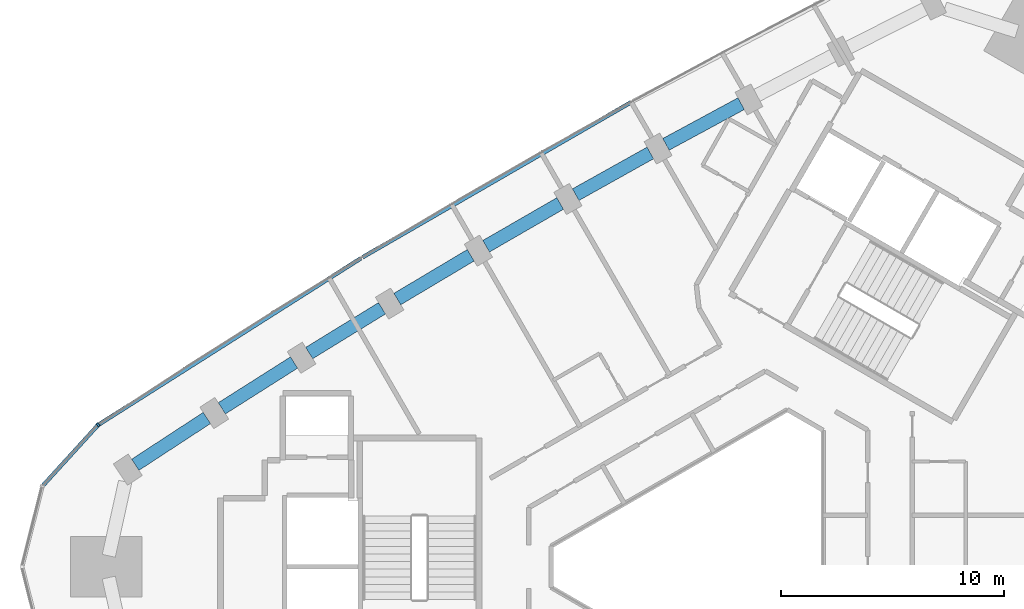
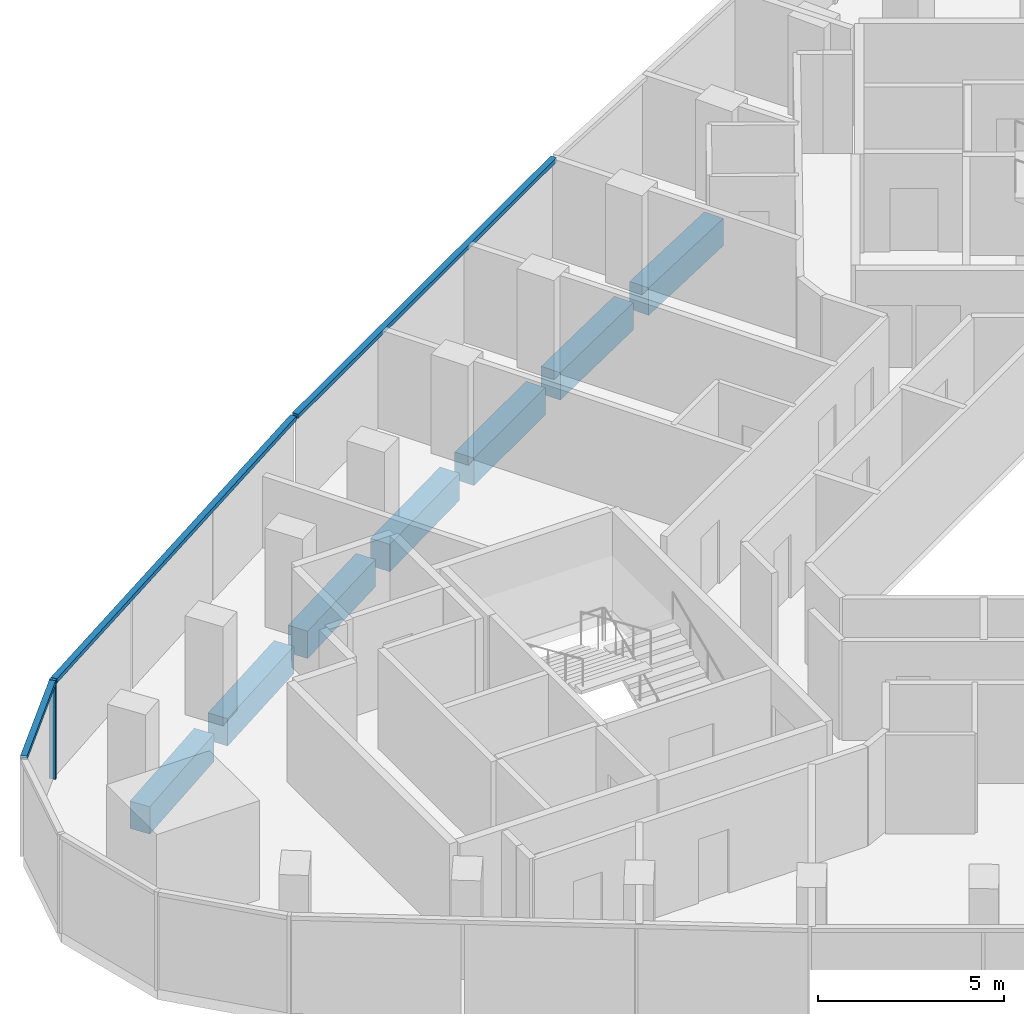
# One storey, part 4 of 12: 7 beams, 4 members, 1 element without a shape of its own.
"""IFC4 building model written with IfcOpenShell, lengths in metres."""

from ifc_helpers import new_model, si_unit, direction, frame, origin, origin_2d, place, context, subcontext, project, spatial, rectangle, extrude, material, material_profile, profile_set, type_object, element, aggregate, save


model = new_model("IFC4")

# Units and contexts
model_context = context("Model", 3, precision=1e-05, world=origin(), true_north=direction((0.0, 1.0)))
body_context = subcontext(model_context, "Body", "Model", "MODEL_VIEW")
ifc_project = project(units=[si_unit("LENGTHUNIT", "METRE"), si_unit("AREAUNIT", "SQUARE_METRE"), si_unit("VOLUMEUNIT", "CUBIC_METRE"), si_unit("PLANEANGLEUNIT", "RADIAN"), si_unit("MASSUNIT", "GRAM", prefix="KILO")], contexts=[model_context])

# Site, building, storey
site_placement = place(None, origin())
site = spatial("IfcSite", under=ifc_project, at=site_placement, CompositionType="ELEMENT")
building_placement = place(site_placement, origin())
building = spatial("IfcBuilding", under=site, at=building_placement, Name="Tamra Quay Hotel Tower", CompositionType="ELEMENT")
storey_placement = place(building_placement, frame((0.0, 0.0, 200.800048828125)))
storey = spatial("IfcBuildingStorey", under=building, at=storey_placement, Name="L50", CompositionType="ELEMENT", Elevation=200.800048828125)

# Curtain wall, member
ifc_material_1 = material(Name="Aluminium 6063 anodised dark grey", Category="aluminium")
curtain_wall_type = type_object("IfcCurtainWallType", Name="CW2 CURTAIN WALL", PredefinedType="NOTDEFINED", material=ifc_material_1)
curtain_wall_placement = place(storey_placement, origin())
curtain_wall = element("IfcCurtainWall", 1, at=curtain_wall_placement, inside=storey, type_object=curtain_wall_type, Name="CW2 north-west face L50", PredefinedType="NOTDEFINED")
ifc_material_profile_1 = material_profile(ifc_material_1, rectangle(XDim=0.179931640625, YDim=0.10009765625, at=origin_2d()), Name="MULLION 100X180")
ifc_profile_set_1 = profile_set([ifc_material_profile_1], Name="Aluminium 6063 anodised dark grey")
member_type_1 = type_object("IfcMemberType", Name="MULLION CW2 Z4", PredefinedType="MULLION", material=ifc_profile_set_1)
member_1_placement = place(storey_placement, frame((-27.928955078125, 6.36376953125, 0.0), z_axis=(0.0, 0.0, 1.0), x_axis=(-0.648381091282, 0.76131593998, 0.0)))
member_1 = element("IfcMember", 2, at=member_1_placement, type_object=member_type_1, Name="CW2 mullion L50.NW.10", PredefinedType="MULLION", context=body_context, shape_type="SweptSolid", body=[
    extrude(rectangle(XDim=0.179931640625, YDim=0.10009765625, at=origin_2d()), origin(), (0.0, 0.0, 1.0), 3.25),
])

# Beams
ifc_material_2 = material(Name="Concrete M60", Category="concrete")
ifc_material_profile_2 = material_profile(ifc_material_2, rectangle(XDim=0.60009765625, YDim=0.89990234375, at=origin_2d()), Name="SPANDREL BEAM RC 600x900")
ifc_profile_set_2 = profile_set([ifc_material_profile_2], Name="Concrete M60")
beam_type = type_object("IfcBeamType", Name="SPANDREL BEAM RC 600x900", PredefinedType="SPANDREL", material=ifc_profile_set_2)
beam_1_placement = place(storey_placement, frame((0.927490234375, 20.77783203125, -0.800048828125), z_axis=(-0.879589264525, -0.475733881211, 0.0), x_axis=(0.475733881211, -0.879589264525, 0.0)))
element("IfcBeam", 3, at=beam_1_placement, inside=storey, type_object=beam_type, Name="BM-SP4-013-L50", PredefinedType="SPANDREL", context=body_context, shape_type="SweptSolid", body=[
    extrude(rectangle(XDim=0.60009765625, YDim=0.89990234375, at=origin_2d()), origin(), (0.0, 0.0, 1.0), 3.838134765625),
])
for number, where, z_axis, x_axis, name in (
    (4, (-3.1494140625, 18.56640625, -0.800048828125), (-0.872890885292, -0.487915466422, 0.0), (0.487915466422, -0.872890885292, 0.0), "BM-SP4-014-L50"),
    (5, (-7.194580078125, 16.298828125, -0.800048828125), (-0.866022424722, -0.500005159851, 0.0), (0.500005159851, -0.866022424722, 0.0), "BM-SP4-015-L50"),
):
    element("IfcBeam", number, at=place(storey_placement, frame(where, z_axis=z_axis, x_axis=x_axis)), inside=storey, type_object=beam_type, Name=name, PredefinedType="SPANDREL", context=body_context, shape_type="SweptSolid", body=[
        extrude(rectangle(XDim=0.60009765625, YDim=0.89990234375, at=origin_2d()), origin(), (0.0, 0.0, 1.0), 3.83740234375),
    ])
beam_2_placement = place(storey_placement, frame((-11.2080078125, 13.975341796875, -0.800048828125), z_axis=(-0.858982487636, -0.512004966708, 0.0), x_axis=(0.512004966708, -0.858982487636, 0.0)))
element("IfcBeam", 6, at=beam_2_placement, inside=storey, type_object=beam_type, Name="BM-SP4-016-L50", PredefinedType="SPANDREL", context=body_context, shape_type="SweptSolid", body=[
    extrude(rectangle(XDim=0.60009765625, YDim=0.89990234375, at=origin_2d()), origin(), (0.0, 0.0, 1.0), 3.837646484375),
])
beam_3_placement = place(storey_placement, frame((-15.188720703125, 11.59619140625, -0.800048828125), z_axis=(-0.851817714835, -0.523838315411, 0.0), x_axis=(0.523838315411, -0.851817714835, 0.0)))
element("IfcBeam", 7, at=beam_3_placement, inside=storey, type_object=beam_type, Name="BM-SP4-017-L50", PredefinedType="SPANDREL", context=body_context, shape_type="SweptSolid", body=[
    extrude(rectangle(XDim=0.60009765625, YDim=0.89990234375, at=origin_2d()), origin(), (0.0, 0.0, 1.0), 3.837890625),
])
for number, where, z_axis, x_axis, name in (
    (8, (-19.136474609375, 9.162109375, -0.800048828125), (-0.844469978785, -0.535602889211, 0.0), (0.535602889211, -0.844469978785, 0.0), "BM-SP4-018-L50"),
    (9, (-23.0498046875, 6.673583984375, -0.800048828125), (-0.836969613974, -0.547249362983, 0.0), (0.547249362983, -0.836969613974, 0.0), "BM-SP4-019-L50"),
):
    element("IfcBeam", number, at=place(storey_placement, frame(where, z_axis=z_axis, x_axis=x_axis)), inside=storey, type_object=beam_type, Name=name, PredefinedType="SPANDREL", context=body_context, shape_type="SweptSolid", body=[
        extrude(rectangle(XDim=0.60009765625, YDim=0.89990234375, at=origin_2d()), origin(), (0.0, 0.0, 1.0), 3.837646484375),
    ])

# Member
ifc_material_profile_3 = material_profile(ifc_material_1, rectangle(XDim=0.179931640625, YDim=0.139892578125, at=origin_2d()), Name="TRANSOM 180X140")
ifc_profile_set_3 = profile_set([ifc_material_profile_3], Name="Aluminium 6063 anodised dark grey")
member_type_2 = type_object("IfcMemberType", Name="TRANSOM CW2 Z4", PredefinedType="USERDEFINED", material=ifc_profile_set_3)
member_2_placement = place(storey_placement, frame((-4.0048828125, 20.85009765625, 3.179931640625), z_axis=(-0.866021948021, -0.50000598551, 0.0), x_axis=(0.50000598551, -0.866021948021, 0.0)))
member_2 = element("IfcMember", 10, at=member_2_placement, type_object=member_type_2, Name="CW2 transom L50.NW.4", ObjectType="TRANSOM", PredefinedType="USERDEFINED", context=body_context, shape_type="SweptSolid", body=[
    extrude(rectangle(XDim=0.179931640625, YDim=0.139892578125, at=origin_2d()), origin(), (0.0, 0.0, 1.0), 13.913330078125),
])

member_3_placement = place(storey_placement, frame((-16.1396484375, 13.841552734375, 3.179931640625), z_axis=(-0.844483603588, -0.535581406764, 0.0), x_axis=(0.535581406764, -0.844483603588, 0.0)))
member_3 = element("IfcMember", 11, at=member_3_placement, type_object=member_type_2, Name="CW2 transom L50.NW.7", ObjectType="TRANSOM", PredefinedType="USERDEFINED", context=body_context, shape_type="SweptSolid", body=[
    extrude(rectangle(XDim=0.179931640625, YDim=0.139892578125, at=origin_2d()), origin(), (0.0, 0.0, 1.0), 13.910888671875),
])

member_4_placement = place(storey_placement, frame((-27.962646484375, 6.32666015625, 3.179931640625), z_axis=(-0.673497359226, -0.739189628658, 0.0), x_axis=(0.739189628658, -0.673497359226, 0.0)))
member_4 = element("IfcMember", 12, at=member_4_placement, type_object=member_type_2, Name="CW2 transom L50.NW.10", ObjectType="TRANSOM", PredefinedType="USERDEFINED", context=body_context, shape_type="SweptSolid", body=[
    extrude(rectangle(XDim=0.179931640625, YDim=0.139892578125, at=origin_2d()), origin(), (0.0, 0.0, 1.0), 3.62353515625),
])

aggregate(curtain_wall, [member_2, member_3, member_1, member_4])

save(model, "model.ifc")
